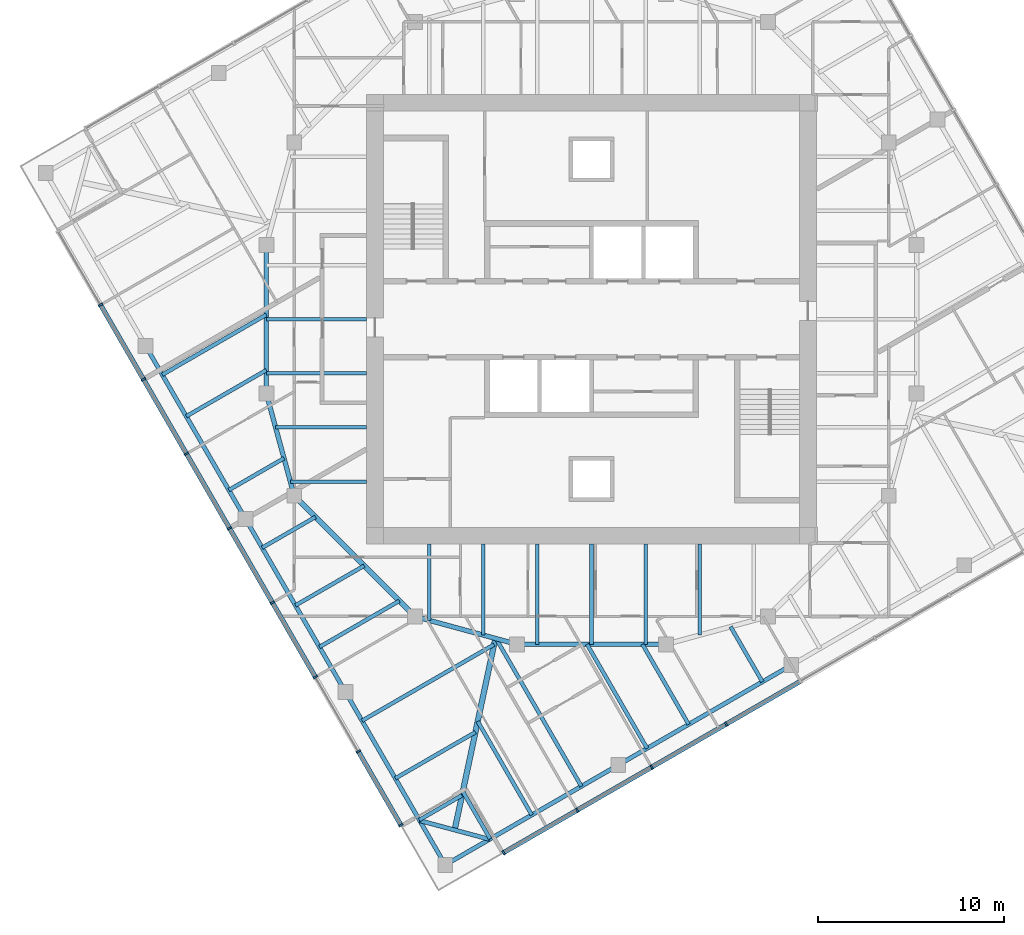
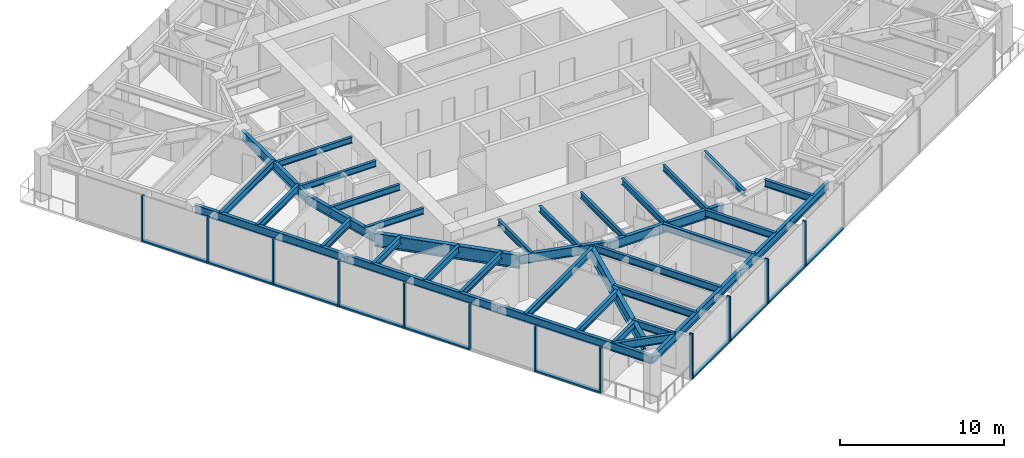
# One storey, part 2 of 12: 37 beams, 22 members, 2 elements without a shape of their own.
"""IFC4 building model written with IfcOpenShell, lengths in metres."""

from ifc_helpers import new_model, si_unit, direction, frame, origin, origin_2d, place, context, subcontext, project, spatial, rectangle, i_section, extrude, material, material_profile, profile_set, type_object, element, aggregate, save


model = new_model("IFC4")

# Units and contexts
model_context = context("Model", 3, precision=1e-05, world=origin(), true_north=direction((0.0, 1.0)))
body_context = subcontext(model_context, "Body", "Model", "MODEL_VIEW")
ifc_project = project(units=[si_unit("LENGTHUNIT", "METRE"), si_unit("AREAUNIT", "SQUARE_METRE"), si_unit("VOLUMEUNIT", "CUBIC_METRE"), si_unit("PLANEANGLEUNIT", "RADIAN"), si_unit("MASSUNIT", "GRAM", prefix="KILO")], contexts=[model_context])

# Site, building, storey
site_placement = place(None, origin())
site = spatial("IfcSite", under=ifc_project, at=site_placement, CompositionType="ELEMENT")
building_placement = place(site_placement, origin())
building = spatial("IfcBuilding", under=site, at=building_placement, Name="Torsade Residences", CompositionType="ELEMENT")
storey_placement = place(building_placement, frame((0.0, 0.0, 218.39990234375)))
storey = spatial("IfcBuildingStorey", under=building, at=storey_placement, Name="L60", CompositionType="ELEMENT", Elevation=218.39990234375)

# Beams
ifc_material_1 = material(Name="Steel grade 300", Category="steel")
ifc_material_profile_1 = material_profile(ifc_material_1, i_section(OverallWidth=0.300048828125, OverallDepth=0.89990234375, WebThickness=0.011962890625, FlangeThickness=0.02490234375, at=origin_2d()), Name="900WB175")
ifc_profile_set_1 = profile_set([ifc_material_profile_1], Name="Steel grade 300")
beam_type_1 = type_object("IfcBeamType", Name="CORNER GIRDER 900WB175", PredefinedType="BEAM", material=ifc_profile_set_1)
beam_1_placement = place(storey_placement, frame((32.6337890625, 2.5087890625, 2.800048828125), z_axis=(0.20806427425, 0.978115155685, 0.0), x_axis=(-0.978115155685, 0.20806427425, 0.0)))
element("IfcBeam", 1, at=beam_1_placement, inside=storey, type_object=beam_type_1, Name="Corner girder 01 L61", PredefinedType="BEAM", context=body_context, shape_type="SweptSolid", body=[
    extrude(i_section(OverallWidth=0.300048828125, OverallDepth=0.89990234375, WebThickness=0.011962890625, FlangeThickness=0.02490234375, at=origin_2d()), origin(), (0.0, 0.0, 1.0), 10.541748046875),
])
ifc_material_2 = material(Name="Steel grade 300", Category="steel")
ifc_material_profile_2 = material_profile(ifc_material_2, i_section(OverallWidth=0.22802734375, OverallDepth=0.60205078125, WebThickness=0.010498046875, FlangeThickness=0.014892578125, FilletRadius=0.013916015625, at=origin_2d()), Name="610UB101")
ifc_profile_set_2 = profile_set([ifc_material_profile_2], Name="Steel grade 300")
beam_type_2 = type_object("IfcBeamType", Name="CORNER TRIMMER 610UB101", PredefinedType="BEAM", material=ifc_profile_set_2)
beam_2_placement = place(storey_placement, frame((34.511962890625, 2.00537109375, 2.94921875), z_axis=(-0.965924794002, 0.258822897619, 0.0), x_axis=(-0.258822897619, -0.965924794002, 0.0)))
element("IfcBeam", 2, at=beam_2_placement, inside=storey, type_object=beam_type_2, Name="Corner trimmer 01 L61", PredefinedType="BEAM", context=body_context, shape_type="SweptSolid", body=[
    extrude(i_section(OverallWidth=0.22802734375, OverallDepth=0.60205078125, WebThickness=0.010498046875, FlangeThickness=0.014892578125, FilletRadius=0.013916015625, at=origin_2d()), origin(), (0.0, 0.0, 1.0), 3.88916015625),
])
ifc_material_3 = material(Name="Steel grade 300", Category="steel")
ifc_material_profile_3 = material_profile(ifc_material_3, i_section(OverallWidth=0.22900390625, OverallDepth=0.612060546875, WebThickness=0.011962890625, FlangeThickness=0.01953125, FilletRadius=0.013916015625, at=origin_2d()), Name="610UB125")
ifc_profile_set_3 = profile_set([ifc_material_profile_3], Name="Steel grade 300")
beam_type_3 = type_object("IfcBeamType", Name="EDGE BEAM 610UB125", PredefinedType="SPANDREL", material=ifc_profile_set_3)
for number, where, z_axis, x_axis, name in (
    (3, (32.13037109375, 0.63037109375, 2.944091796875), (0.866026365697, 0.499998333915, 0.0), (-0.499998333915, 0.866026365697, 0.0), "Edge beam 01 L61"),
    (4, (41.440185546875, 6.00537109375, 2.944091796875), (0.866026365697, 0.499998333915, 0.0), (-0.499998333915, 0.866026365697, 0.0), "Edge beam 02 L61"),
    (5, (16.00537109375, 28.559814453125, 2.944091796875), (0.499998333915, -0.866026365697, 0.0), (0.866026365697, 0.499998333915, 0.0), "Edge beam 14 L61"),
    (6, (21.38037109375, 19.25, 2.944091796875), (0.499998333915, -0.866026365697, 0.0), (0.866026365697, 0.499998333915, 0.0), "Edge beam 15 L61"),
    (7, (26.75537109375, 9.940185546875, 2.944091796875), (0.499998333915, -0.866026365697, 0.0), (0.866026365697, 0.499998333915, 0.0), "Edge beam 16 L61"),
):
    element("IfcBeam", number, at=place(storey_placement, frame(where, z_axis=z_axis, x_axis=x_axis)), inside=storey, type_object=beam_type_3, Name=name, PredefinedType="SPANDREL", context=body_context, shape_type="SweptSolid", body=[
        extrude(i_section(OverallWidth=0.22900390625, OverallDepth=0.612060546875, WebThickness=0.011962890625, FlangeThickness=0.01953125, FilletRadius=0.013916015625, at=origin_2d()), origin(), (0.0, 0.0, 1.0), 10.75),
    ])

# Curtain wall, members
ifc_material_4 = material(Name="Aluminium and glass", Category="aluminium")
curtain_wall_type = type_object("IfcCurtainWallType", Name="FRITTED GLASS CURTAIN WALL HIGH ZONE", PredefinedType="NOTDEFINED", material=ifc_material_4)
curtain_wall_1_placement = place(storey_placement, origin())
curtain_wall_1 = element("IfcCurtainWall", 8, at=curtain_wall_1_placement, inside=storey, type_object=curtain_wall_type, Name="Curtain wall L60 face 1", PredefinedType="NOTDEFINED")
ifc_material_5 = material(Name="Aluminium mullion", Category="aluminium")
ifc_material_profile_4 = material_profile(ifc_material_5, rectangle(XDim=0.25, YDim=0.10009765625, at=origin_2d()), Name="HIGH ZONE CURTAIN WALL MULLION 250x100")
ifc_profile_set_4 = profile_set([ifc_material_profile_4], Name="Aluminium mullion")
member_type_1 = type_object("IfcMemberType", Name="HIGH ZONE CURTAIN WALL MULLION 250x100", PredefinedType="MULLION", material=ifc_profile_set_4)
member_1_placement = place(storey_placement, frame((35.271728515625, 1.289306640625, 0.0), z_axis=(0.0, 0.0, 1.0), x_axis=(-0.499999999305, 0.866025404186, 0.0)))
member_1 = element("IfcMember", 9, at=member_1_placement, type_object=member_type_1, Name="Mullion 1", PredefinedType="MULLION", context=body_context, shape_type="SweptSolid", body=[
    extrude(rectangle(XDim=0.25, YDim=0.10009765625, at=origin_2d()), origin(), (0.0, 0.0, 1.0), 3.400146484375),
])
member_2_placement = place(storey_placement, frame((39.23388671875, 3.576904296875, 0.0), z_axis=(0.0, 0.0, 1.0), x_axis=(-0.499999999305, 0.866025404186, 0.0)))
member_2 = element("IfcMember", 10, at=member_2_placement, type_object=member_type_1, Name="Mullion 2", PredefinedType="MULLION", context=body_context, shape_type="SweptSolid", body=[
    extrude(rectangle(XDim=0.25, YDim=0.10009765625, at=origin_2d()), origin(), (0.0, 0.0, 1.0), 3.400146484375),
])
member_3_placement = place(storey_placement, frame((43.2392578125, 5.889404296875, 0.0), z_axis=(0.0, 0.0, 1.0), x_axis=(-0.499999999305, 0.866025404186, 0.0)))
member_3 = element("IfcMember", 11, at=member_3_placement, type_object=member_type_1, Name="Mullion 3", PredefinedType="MULLION", context=body_context, shape_type="SweptSolid", body=[
    extrude(rectangle(XDim=0.25, YDim=0.10009765625, at=origin_2d()), origin(), (0.0, 0.0, 1.0), 3.400146484375),
])
member_4_placement = place(storey_placement, frame((47.24462890625, 8.201904296875, 0.0), z_axis=(0.0, 0.0, 1.0), x_axis=(-0.499999999305, 0.866025404186, 0.0)))
member_4 = element("IfcMember", 12, at=member_4_placement, type_object=member_type_1, Name="Mullion 4", PredefinedType="MULLION", context=body_context, shape_type="SweptSolid", body=[
    extrude(rectangle(XDim=0.25, YDim=0.10009765625, at=origin_2d()), origin(), (0.0, 0.0, 1.0), 3.400146484375),
])

curtain_wall_2_placement = place(storey_placement, origin())
curtain_wall_2 = element("IfcCurtainWall", 13, at=curtain_wall_2_placement, inside=storey, type_object=curtain_wall_type, Name="Curtain wall L60 face 10", PredefinedType="NOTDEFINED")
member_5_placement = place(storey_placement, frame((13.576904296875, 30.76611328125, 0.0), z_axis=(0.0, 0.0, 1.0), x_axis=(0.866025404186, 0.499999999305, 0.0)))
member_5 = element("IfcMember", 14, at=member_5_placement, type_object=member_type_1, Name="Mullion 2", PredefinedType="MULLION", context=body_context, shape_type="SweptSolid", body=[
    extrude(rectangle(XDim=0.25, YDim=0.10009765625, at=origin_2d()), origin(), (0.0, 0.0, 1.0), 3.400146484375),
])
member_6_placement = place(storey_placement, frame((15.889404296875, 26.7607421875, 0.0), z_axis=(0.0, 0.0, 1.0), x_axis=(0.866025404186, 0.499999999305, 0.0)))
member_6 = element("IfcMember", 15, at=member_6_placement, type_object=member_type_1, Name="Mullion 3", PredefinedType="MULLION", context=body_context, shape_type="SweptSolid", body=[
    extrude(rectangle(XDim=0.25, YDim=0.10009765625, at=origin_2d()), origin(), (0.0, 0.0, 1.0), 3.400146484375),
])
member_7_placement = place(storey_placement, frame((18.201904296875, 22.75537109375, 0.0), z_axis=(0.0, 0.0, 1.0), x_axis=(0.866025404186, 0.499999999305, 0.0)))
member_7 = element("IfcMember", 16, at=member_7_placement, type_object=member_type_1, Name="Mullion 4", PredefinedType="MULLION", context=body_context, shape_type="SweptSolid", body=[
    extrude(rectangle(XDim=0.25, YDim=0.10009765625, at=origin_2d()), origin(), (0.0, 0.0, 1.0), 3.400146484375),
])
member_8_placement = place(storey_placement, frame((20.514404296875, 18.75, 0.0), z_axis=(0.0, 0.0, 1.0), x_axis=(0.866025404186, 0.499999999305, 0.0)))
member_8 = element("IfcMember", 17, at=member_8_placement, type_object=member_type_1, Name="Mullion 5", PredefinedType="MULLION", context=body_context, shape_type="SweptSolid", body=[
    extrude(rectangle(XDim=0.25, YDim=0.10009765625, at=origin_2d()), origin(), (0.0, 0.0, 1.0), 3.400146484375),
])
member_9_placement = place(storey_placement, frame((22.826904296875, 14.74462890625, 0.0), z_axis=(0.0, 0.0, 1.0), x_axis=(0.866025404186, 0.499999999305, 0.0)))
member_9 = element("IfcMember", 18, at=member_9_placement, type_object=member_type_1, Name="Mullion 6", PredefinedType="MULLION", context=body_context, shape_type="SweptSolid", body=[
    extrude(rectangle(XDim=0.25, YDim=0.10009765625, at=origin_2d()), origin(), (0.0, 0.0, 1.0), 3.400146484375),
])
member_10_placement = place(storey_placement, frame((25.139404296875, 10.7392578125, 0.0), z_axis=(0.0, 0.0, 1.0), x_axis=(0.866025404186, 0.499999999305, 0.0)))
member_10 = element("IfcMember", 19, at=member_10_placement, type_object=member_type_1, Name="Mullion 7", PredefinedType="MULLION", context=body_context, shape_type="SweptSolid", body=[
    extrude(rectangle(XDim=0.25, YDim=0.10009765625, at=origin_2d()), origin(), (0.0, 0.0, 1.0), 3.400146484375),
])
member_11_placement = place(storey_placement, frame((27.451904296875, 6.73388671875, 0.0), z_axis=(0.0, 0.0, 1.0), x_axis=(0.866025404186, 0.499999999305, 0.0)))
member_11 = element("IfcMember", 20, at=member_11_placement, type_object=member_type_1, Name="Mullion 8", PredefinedType="MULLION", context=body_context, shape_type="SweptSolid", body=[
    extrude(rectangle(XDim=0.25, YDim=0.10009765625, at=origin_2d()), origin(), (0.0, 0.0, 1.0), 3.400146484375),
])
member_12_placement = place(storey_placement, frame((29.739501953125, 2.771728515625, 0.0), z_axis=(0.0, 0.0, 1.0), x_axis=(0.866025404186, 0.499999999305, 0.0)))
member_12 = element("IfcMember", 21, at=member_12_placement, type_object=member_type_1, Name="Mullion 9", PredefinedType="MULLION", context=body_context, shape_type="SweptSolid", body=[
    extrude(rectangle(XDim=0.25, YDim=0.10009765625, at=origin_2d()), origin(), (0.0, 0.0, 1.0), 3.400146484375),
])

# Member
ifc_material_6 = material(Name="Aluminium transom", Category="aluminium")
ifc_material_profile_5 = material_profile(ifc_material_6, rectangle(XDim=0.25, YDim=0.1201171875, at=origin_2d()), Name="HIGH ZONE CURTAIN WALL TRANSOM 250x120")
ifc_profile_set_5 = profile_set([ifc_material_profile_5], Name="Aluminium transom")
member_type_2 = type_object("IfcMemberType", Name="HIGH ZONE CURTAIN WALL TRANSOM 250x120", PredefinedType="USERDEFINED", material=ifc_profile_set_5)
member_13_placement = place(storey_placement, frame((35.315185546875, 1.314453125, 0.06005859375), z_axis=(0.866022053326, 0.50000580312, 0.0), x_axis=(-0.50000580312, 0.866022053326, 0.0)))
member_13 = element("IfcMember", 22, at=member_13_placement, type_object=member_type_2, Name="Transom 1.1", ObjectType="TRANSOM", PredefinedType="USERDEFINED", context=body_context, shape_type="SweptSolid", body=[
    extrude(rectangle(XDim=0.25, YDim=0.1201171875, at=origin_2d()), origin(), (0.0, 0.0, 1.0), 4.47509765625),
])

member_14_placement = place(storey_placement, frame((39.277099609375, 3.601806640625, 0.06005859375), z_axis=(0.866016678684, 0.500015112013, 0.0), x_axis=(-0.500015112013, 0.866016678684, 0.0)))
member_14 = element("IfcMember", 23, at=member_14_placement, type_object=member_type_2, Name="Transom 2.1", ObjectType="TRANSOM", PredefinedType="USERDEFINED", context=body_context, shape_type="SweptSolid", body=[
    extrude(rectangle(XDim=0.25, YDim=0.1201171875, at=origin_2d()), origin(), (0.0, 0.0, 1.0), 4.525146484375),
])

member_15_placement = place(storey_placement, frame((43.282470703125, 5.914306640625, 0.06005859375), z_axis=(0.866016678684, 0.500015112013, 0.0), x_axis=(-0.500015112013, 0.866016678684, 0.0)))
member_15 = element("IfcMember", 24, at=member_15_placement, type_object=member_type_2, Name="Transom 3.1", ObjectType="TRANSOM", PredefinedType="USERDEFINED", context=body_context, shape_type="SweptSolid", body=[
    extrude(rectangle(XDim=0.25, YDim=0.1201171875, at=origin_2d()), origin(), (0.0, 0.0, 1.0), 4.525146484375),
])

member_16_placement = place(storey_placement, frame((47.287841796875, 8.226806640625, 0.06005859375), z_axis=(0.866016678684, 0.500015112013, 0.0), x_axis=(-0.500015112013, 0.866016678684, 0.0)))
member_16 = element("IfcMember", 25, at=member_16_placement, type_object=member_type_2, Name="Transom 4.1", ObjectType="TRANSOM", PredefinedType="USERDEFINED", context=body_context, shape_type="SweptSolid", body=[
    extrude(rectangle(XDim=0.25, YDim=0.1201171875, at=origin_2d()), origin(), (0.0, 0.0, 1.0), 4.525146484375),
])

aggregate(curtain_wall_1, [member_1, member_2, member_3, member_4, member_13, member_14, member_15, member_16])

member_17_placement = place(storey_placement, frame((13.601806640625, 30.722900390625, 0.06005859375), z_axis=(0.500015112013, -0.866016678684, 0.0), x_axis=(0.866016678684, 0.500015112013, 0.0)))
member_17 = element("IfcMember", 26, at=member_17_placement, type_object=member_type_2, Name="Transom 2.1", ObjectType="TRANSOM", PredefinedType="USERDEFINED", context=body_context, shape_type="SweptSolid", body=[
    extrude(rectangle(XDim=0.25, YDim=0.1201171875, at=origin_2d()), origin(), (0.0, 0.0, 1.0), 4.525146484375),
])

member_18_placement = place(storey_placement, frame((15.914306640625, 26.717529296875, 0.06005859375), z_axis=(0.500015112013, -0.866016678684, 0.0), x_axis=(0.866016678684, 0.500015112013, 0.0)))
member_18 = element("IfcMember", 27, at=member_18_placement, type_object=member_type_2, Name="Transom 3.1", ObjectType="TRANSOM", PredefinedType="USERDEFINED", context=body_context, shape_type="SweptSolid", body=[
    extrude(rectangle(XDim=0.25, YDim=0.1201171875, at=origin_2d()), origin(), (0.0, 0.0, 1.0), 4.525146484375),
])

member_19_placement = place(storey_placement, frame((18.226806640625, 22.712158203125, 0.06005859375), z_axis=(0.500015112013, -0.866016678684, 0.0), x_axis=(0.866016678684, 0.500015112013, 0.0)))
member_19 = element("IfcMember", 28, at=member_19_placement, type_object=member_type_2, Name="Transom 4.1", ObjectType="TRANSOM", PredefinedType="USERDEFINED", context=body_context, shape_type="SweptSolid", body=[
    extrude(rectangle(XDim=0.25, YDim=0.1201171875, at=origin_2d()), origin(), (0.0, 0.0, 1.0), 4.525146484375),
])

member_20_placement = place(storey_placement, frame((20.539306640625, 18.706787109375, 0.06005859375), z_axis=(0.500015112013, -0.866016678684, 0.0), x_axis=(0.866016678684, 0.500015112013, 0.0)))
member_20 = element("IfcMember", 29, at=member_20_placement, type_object=member_type_2, Name="Transom 5.1", ObjectType="TRANSOM", PredefinedType="USERDEFINED", context=body_context, shape_type="SweptSolid", body=[
    extrude(rectangle(XDim=0.25, YDim=0.1201171875, at=origin_2d()), origin(), (0.0, 0.0, 1.0), 4.525146484375),
])

member_21_placement = place(storey_placement, frame((22.851806640625, 14.701416015625, 0.06005859375), z_axis=(0.500015112013, -0.866016678684, 0.0), x_axis=(0.866016678684, 0.500015112013, 0.0)))
member_21 = element("IfcMember", 30, at=member_21_placement, type_object=member_type_2, Name="Transom 6.1", ObjectType="TRANSOM", PredefinedType="USERDEFINED", context=body_context, shape_type="SweptSolid", body=[
    extrude(rectangle(XDim=0.25, YDim=0.1201171875, at=origin_2d()), origin(), (0.0, 0.0, 1.0), 4.525146484375),
])

member_22_placement = place(storey_placement, frame((27.476806640625, 6.690673828125, 0.06005859375), z_axis=(0.50000580312, -0.866022053326, 0.0), x_axis=(0.866022053326, 0.50000580312, 0.0)))
member_22 = element("IfcMember", 31, at=member_22_placement, type_object=member_type_2, Name="Transom 8.1", ObjectType="TRANSOM", PredefinedType="USERDEFINED", context=body_context, shape_type="SweptSolid", body=[
    extrude(rectangle(XDim=0.25, YDim=0.1201171875, at=origin_2d()), origin(), (0.0, 0.0, 1.0), 4.47509765625),
])

aggregate(curtain_wall_2, [member_5, member_6, member_7, member_8, member_9, member_10, member_11, member_12, member_17, member_18, member_19, member_20, member_21, member_22])

# Beams
ifc_material_7 = material(Name="Steel grade 300", Category="steel")
ifc_material_profile_6 = material_profile(ifc_material_7, i_section(OverallWidth=0.18994140625, OverallDepth=0.4541015625, WebThickness=0.008544921875, FlangeThickness=0.0126953125, FilletRadius=0.011474609375, at=origin_2d()), Name="460UB67.1")
ifc_profile_set_6 = profile_set([ifc_material_profile_6], Name="Steel grade 300")
beam_type_4 = type_object("IfcBeamType", Name="INNER FLOOR BEAM 460UB67.1", PredefinedType="JOIST", material=ifc_profile_set_6)
beam_3_placement = place(storey_placement, frame((45.824951171875, 17.89990234375, 3.023193359375), z_axis=(0.0, -1.0, 0.0), x_axis=(1.0, 0.0, 0.0)))
element("IfcBeam", 32, at=beam_3_placement, inside=storey, type_object=beam_type_4, Name="Inner floor beam IS02 L61", PredefinedType="JOIST", context=body_context, shape_type="SweptSolid", body=[
    extrude(i_section(OverallWidth=0.18994140625, OverallDepth=0.4541015625, WebThickness=0.008544921875, FlangeThickness=0.0126953125, FilletRadius=0.011474609375, at=origin_2d()), origin(), (0.0, 0.0, 1.0), 4.902099609375),
])
for number, where, z_axis, x_axis, name in (
    (33, (42.91259765625, 17.89990234375, 3.023193359375), (0.0, -1.0, 0.0), (1.0, 0.0, 0.0), "Inner floor beam IS03 L61"),
    (34, (40.0, 17.89990234375, 3.023193359375), (0.0, -1.0, 0.0), (1.0, 0.0, 0.0), "Inner floor beam IS04 L61"),
    (35, (37.08740234375, 17.89990234375, 3.023193359375), (0.0, -1.0, 0.0), (1.0, 0.0, 0.0), "Inner floor beam IS05 L61"),
):
    element("IfcBeam", number, at=place(storey_placement, frame(where, z_axis=z_axis, x_axis=x_axis)), inside=storey, type_object=beam_type_4, Name=name, PredefinedType="JOIST", context=body_context, shape_type="SweptSolid", body=[
        extrude(i_section(OverallWidth=0.18994140625, OverallDepth=0.4541015625, WebThickness=0.008544921875, FlangeThickness=0.0126953125, FilletRadius=0.011474609375, at=origin_2d()), origin(), (0.0, 0.0, 1.0), 5.39990234375),
    ])
beam_4_placement = place(storey_placement, frame((34.175048828125, 17.89990234375, 3.023193359375), z_axis=(0.0, -1.0, 0.0), x_axis=(1.0, 0.0, 0.0)))
element("IfcBeam", 36, at=beam_4_placement, inside=storey, type_object=beam_type_4, Name="Inner floor beam IS06 L61", PredefinedType="JOIST", context=body_context, shape_type="SweptSolid", body=[
    extrude(i_section(OverallWidth=0.18994140625, OverallDepth=0.4541015625, WebThickness=0.008544921875, FlangeThickness=0.0126953125, FilletRadius=0.011474609375, at=origin_2d()), origin(), (0.0, 0.0, 1.0), 4.902099609375),
])
beam_5_placement = place(storey_placement, frame((31.262451171875, 17.89990234375, 3.023193359375), z_axis=(0.0, -1.0, 0.0), x_axis=(1.0, 0.0, 0.0)))
element("IfcBeam", 37, at=beam_5_placement, inside=storey, type_object=beam_type_4, Name="Inner floor beam IS07 L61", PredefinedType="JOIST", context=body_context, shape_type="SweptSolid", body=[
    extrude(i_section(OverallWidth=0.18994140625, OverallDepth=0.4541015625, WebThickness=0.008544921875, FlangeThickness=0.0126953125, FilletRadius=0.011474609375, at=origin_2d()), origin(), (0.0, 0.0, 1.0), 4.10791015625),
])
for number, where, z_axis, x_axis, name in (
    (38, (27.89990234375, 30.0, 3.023193359375), (-1.0, 0.0, 0.0), (0.0, -1.0, 0.0), "Inner floor beam IW04 L61"),
    (39, (27.89990234375, 27.08740234375, 3.023193359375), (-1.0, 0.0, 0.0), (0.0, -1.0, 0.0), "Inner floor beam IW05 L61"),
):
    element("IfcBeam", number, at=place(storey_placement, frame(where, z_axis=z_axis, x_axis=x_axis)), inside=storey, type_object=beam_type_4, Name=name, PredefinedType="JOIST", context=body_context, shape_type="SweptSolid", body=[
        extrude(i_section(OverallWidth=0.18994140625, OverallDepth=0.4541015625, WebThickness=0.008544921875, FlangeThickness=0.0126953125, FilletRadius=0.011474609375, at=origin_2d()), origin(), (0.0, 0.0, 1.0), 5.39990234375),
    ])
beam_6_placement = place(storey_placement, frame((27.89990234375, 24.175048828125, 3.023193359375), z_axis=(-1.0, 0.0, 0.0), x_axis=(0.0, -1.0, 0.0)))
element("IfcBeam", 40, at=beam_6_placement, inside=storey, type_object=beam_type_4, Name="Inner floor beam IW06 L61", PredefinedType="JOIST", context=body_context, shape_type="SweptSolid", body=[
    extrude(i_section(OverallWidth=0.18994140625, OverallDepth=0.4541015625, WebThickness=0.008544921875, FlangeThickness=0.0126953125, FilletRadius=0.011474609375, at=origin_2d()), origin(), (0.0, 0.0, 1.0), 4.902099609375),
])
beam_7_placement = place(storey_placement, frame((27.89990234375, 21.262451171875, 3.023193359375), z_axis=(-1.0, 0.0, 0.0), x_axis=(0.0, -1.0, 0.0)))
element("IfcBeam", 41, at=beam_7_placement, inside=storey, type_object=beam_type_4, Name="Inner floor beam IW07 L61", PredefinedType="JOIST", context=body_context, shape_type="SweptSolid", body=[
    extrude(i_section(OverallWidth=0.18994140625, OverallDepth=0.4541015625, WebThickness=0.008544921875, FlangeThickness=0.0126953125, FilletRadius=0.011474609375, at=origin_2d()), origin(), (0.0, 0.0, 1.0), 4.10791015625),
])
ifc_material_8 = material(Name="Steel grade 300", Category="steel")
ifc_material_profile_7 = material_profile(ifc_material_8, i_section(OverallWidth=0.300048828125, OverallDepth=1.0, WebThickness=0.01611328125, FlangeThickness=0.028076171875, at=origin_2d()), Name="1000WB215")
ifc_profile_set_7 = profile_set([ifc_material_profile_7], Name="Steel grade 300")
beam_type_5 = type_object("IfcBeamType", Name="RING CORNER GIRDER 1000WB215", PredefinedType="BEAM", material=ifc_profile_set_7)
beam_8_placement = place(storey_placement, frame((24.0, 20.5, 2.75), z_axis=(0.707106781187, -0.707106781187, 0.0), x_axis=(0.707106781187, 0.707106781187, 0.0)))
element("IfcBeam", 42, at=beam_8_placement, inside=storey, type_object=beam_type_5, Name="Ring girder IR11 L61", PredefinedType="BEAM", context=body_context, shape_type="SweptSolid", body=[
    extrude(i_section(OverallWidth=0.300048828125, OverallDepth=1.0, WebThickness=0.01611328125, FlangeThickness=0.028076171875, at=origin_2d()), origin(), (0.0, 0.0, 1.0), 9.1923828125),
])
ifc_material_9 = material(Name="Steel grade 300", Category="steel")
ifc_material_profile_8 = material_profile(ifc_material_9, i_section(OverallWidth=0.25, OverallDepth=0.699951171875, WebThickness=0.010009765625, FlangeThickness=0.02001953125, at=origin_2d()), Name="700WB130")
ifc_profile_set_8 = profile_set([ifc_material_profile_8], Name="Steel grade 300")
beam_type_6 = type_object("IfcBeamType", Name="RING GIRDER 700WB130", PredefinedType="BEAM", material=ifc_profile_set_8)
beam_9_placement = place(storey_placement, frame((22.5, 34.0, 2.900146484375), z_axis=(0.0, -1.0, 0.0), x_axis=(1.0, 0.0, 0.0)))
element("IfcBeam", 43, at=beam_9_placement, inside=storey, type_object=beam_type_6, Name="Ring girder IR09 L61", PredefinedType="BEAM", context=body_context, shape_type="SweptSolid", body=[
    extrude(i_section(OverallWidth=0.25, OverallDepth=0.699951171875, WebThickness=0.010009765625, FlangeThickness=0.02001953125, at=origin_2d()), origin(), (0.0, 0.0, 1.0), 8.0),
])
for number, where, z_axis, x_axis, name in (
    (44, (22.5, 26.0, 2.900146484375), (0.263117405792, -0.964763821238, 0.0), (0.964763821238, 0.263117405792, 0.0), "Ring girder IR10 L61"),
    (45, (30.5, 14.0, 2.900146484375), (0.964763821238, -0.263117405792, 0.0), (0.263117405792, 0.964763821238, 0.0), "Ring girder IR12 L61"),
):
    element("IfcBeam", number, at=place(storey_placement, frame(where, z_axis=z_axis, x_axis=x_axis)), inside=storey, type_object=beam_type_6, Name=name, PredefinedType="BEAM", context=body_context, shape_type="SweptSolid", body=[
        extrude(i_section(OverallWidth=0.25, OverallDepth=0.699951171875, WebThickness=0.010009765625, FlangeThickness=0.02001953125, at=origin_2d()), origin(), (0.0, 0.0, 1.0), 5.700927734375),
    ])
beam_10_placement = place(storey_placement, frame((36.0, 12.5, 2.900146484375), z_axis=(1.0, 0.0, 0.0), x_axis=(0.0, 1.0, 0.0)))
element("IfcBeam", 46, at=beam_10_placement, inside=storey, type_object=beam_type_6, Name="Ring girder IR13 L61", PredefinedType="BEAM", context=body_context, shape_type="SweptSolid", body=[
    extrude(i_section(OverallWidth=0.25, OverallDepth=0.699951171875, WebThickness=0.010009765625, FlangeThickness=0.02001953125, at=origin_2d()), origin(), (0.0, 0.0, 1.0), 8.0),
])
ifc_material_10 = material(Name="Steel grade 300", Category="steel")
ifc_material_profile_9 = material_profile(ifc_material_10, i_section(OverallWidth=0.208984375, OverallDepth=0.528076171875, WebThickness=0.009521484375, FlangeThickness=0.01318359375, FilletRadius=0.013916015625, at=origin_2d()), Name="530UB82.0")
ifc_profile_set_9 = profile_set([ifc_material_profile_9], Name="Steel grade 300")
beam_type_7 = type_object("IfcBeamType", Name="SECONDARY BEAM 530UB82.0", PredefinedType="JOIST", material=ifc_profile_set_9)
beam_11_placement = place(storey_placement, frame((34.548095703125, 2.0263671875, 2.986083984375), z_axis=(-0.500014013, 0.866017313224, 0.0), x_axis=(-0.866017313224, -0.500014013, 0.0)))
element("IfcBeam", 47, at=beam_11_placement, inside=storey, type_object=beam_type_7, Name="Floor beam FS01 L61", PredefinedType="JOIST", context=body_context, shape_type="SweptSolid", body=[
    extrude(i_section(OverallWidth=0.208984375, OverallDepth=0.528076171875, WebThickness=0.009521484375, FlangeThickness=0.01318359375, FilletRadius=0.013916015625, at=origin_2d()), origin(), (0.0, 0.0, 1.0), 2.94775390625),
])
beam_12_placement = place(storey_placement, frame((36.785400390625, 3.31787109375, 2.986083984375), z_axis=(-0.499990133118, 0.866031100357, 0.0), x_axis=(-0.866031100357, -0.499990133118, 0.0)))
element("IfcBeam", 48, at=beam_12_placement, inside=storey, type_object=beam_type_7, Name="Floor beam FS02 L61", PredefinedType="JOIST", context=body_context, shape_type="SweptSolid", body=[
    extrude(i_section(OverallWidth=0.208984375, OverallDepth=0.528076171875, WebThickness=0.009521484375, FlangeThickness=0.01318359375, FilletRadius=0.013916015625, at=origin_2d()), origin(), (0.0, 0.0, 1.0), 5.81591796875),
])
beam_13_placement = place(storey_placement, frame((39.45556640625, 4.859619140625, 2.986083984375), z_axis=(-0.500006393711, 0.866021712342, 0.0), x_axis=(-0.866021712342, -0.500006393711, 0.0)))
element("IfcBeam", 49, at=beam_13_placement, inside=storey, type_object=beam_type_7, Name="Floor beam FS03 L61", PredefinedType="JOIST", context=body_context, shape_type="SweptSolid", body=[
    extrude(i_section(OverallWidth=0.208984375, OverallDepth=0.528076171875, WebThickness=0.009521484375, FlangeThickness=0.01318359375, FilletRadius=0.013916015625, at=origin_2d()), origin(), (0.0, 0.0, 1.0), 9.1796875),
])
beam_14_placement = place(storey_placement, frame((42.991943359375, 6.9013671875, 2.986083984375), z_axis=(-0.500005767435, 0.866022073929, 0.0), x_axis=(-0.866022073929, -0.500005767435, 0.0)))
element("IfcBeam", 50, at=beam_14_placement, inside=storey, type_object=beam_type_7, Name="Floor beam FS04 L61", PredefinedType="JOIST", context=body_context, shape_type="SweptSolid", body=[
    extrude(i_section(OverallWidth=0.208984375, OverallDepth=0.528076171875, WebThickness=0.009521484375, FlangeThickness=0.01318359375, FilletRadius=0.013916015625, at=origin_2d()), origin(), (0.0, 0.0, 1.0), 6.46484375),
])
beam_15_placement = place(storey_placement, frame((45.22900390625, 8.19287109375, 2.986083984375), z_axis=(-0.499977414361, 0.866038443216, 0.0), x_axis=(-0.866038443216, -0.499977414361, 0.0)))
element("IfcBeam", 51, at=beam_15_placement, inside=storey, type_object=beam_type_7, Name="Floor beam FS05 L61", PredefinedType="JOIST", context=body_context, shape_type="SweptSolid", body=[
    extrude(i_section(OverallWidth=0.208984375, OverallDepth=0.528076171875, WebThickness=0.009521484375, FlangeThickness=0.01318359375, FilletRadius=0.013916015625, at=origin_2d()), origin(), (0.0, 0.0, 1.0), 4.973388671875),
])
beam_16_placement = place(storey_placement, frame((49.198486328125, 10.484619140625, 2.986083984375), z_axis=(-0.500041249073, 0.866001587311, 0.0), x_axis=(-0.866001587311, -0.500041249073, 0.0)))
element("IfcBeam", 52, at=beam_16_placement, inside=storey, type_object=beam_type_7, Name="Floor beam FS06 L61", PredefinedType="JOIST", context=body_context, shape_type="SweptSolid", body=[
    extrude(i_section(OverallWidth=0.208984375, OverallDepth=0.528076171875, WebThickness=0.009521484375, FlangeThickness=0.01318359375, FilletRadius=0.013916015625, at=origin_2d()), origin(), (0.0, 0.0, 1.0), 3.425048828125),
])
beam_17_placement = place(storey_placement, frame((16.9013671875, 27.008056640625, 2.986083984375), z_axis=(0.866022073929, 0.500005767435, 0.0), x_axis=(-0.500005767435, 0.866022073929, 0.0)))
element("IfcBeam", 53, at=beam_17_placement, inside=storey, type_object=beam_type_7, Name="Floor beam FW04 L61", PredefinedType="JOIST", context=body_context, shape_type="SweptSolid", body=[
    extrude(i_section(OverallWidth=0.208984375, OverallDepth=0.528076171875, WebThickness=0.009521484375, FlangeThickness=0.01318359375, FilletRadius=0.013916015625, at=origin_2d()), origin(), (0.0, 0.0, 1.0), 6.46484375),
])
beam_18_placement = place(storey_placement, frame((18.19287109375, 24.77099609375, 2.986083984375), z_axis=(0.866038443216, 0.499977414361, 0.0), x_axis=(-0.499977414361, 0.866038443216, 0.0)))
element("IfcBeam", 54, at=beam_18_placement, inside=storey, type_object=beam_type_7, Name="Floor beam FW05 L61", PredefinedType="JOIST", context=body_context, shape_type="SweptSolid", body=[
    extrude(i_section(OverallWidth=0.208984375, OverallDepth=0.528076171875, WebThickness=0.009521484375, FlangeThickness=0.01318359375, FilletRadius=0.013916015625, at=origin_2d()), origin(), (0.0, 0.0, 1.0), 4.973388671875),
])
beam_19_placement = place(storey_placement, frame((20.484619140625, 20.801513671875, 2.986083984375), z_axis=(0.866001587311, 0.500041249073, 0.0), x_axis=(-0.500041249073, 0.866001587311, 0.0)))
element("IfcBeam", 55, at=beam_19_placement, inside=storey, type_object=beam_type_7, Name="Floor beam FW06 L61", PredefinedType="JOIST", context=body_context, shape_type="SweptSolid", body=[
    extrude(i_section(OverallWidth=0.208984375, OverallDepth=0.528076171875, WebThickness=0.009521484375, FlangeThickness=0.01318359375, FilletRadius=0.013916015625, at=origin_2d()), origin(), (0.0, 0.0, 1.0), 3.425048828125),
])
beam_20_placement = place(storey_placement, frame((22.2763671875, 17.698486328125, 2.986083984375), z_axis=(0.866039541186, 0.499975512502, 0.0), x_axis=(-0.499975512502, 0.866039541186, 0.0)))
element("IfcBeam", 56, at=beam_20_placement, inside=storey, type_object=beam_type_7, Name="Floor beam FW07 L61", PredefinedType="JOIST", context=body_context, shape_type="SweptSolid", body=[
    extrude(i_section(OverallWidth=0.208984375, OverallDepth=0.528076171875, WebThickness=0.009521484375, FlangeThickness=0.01318359375, FilletRadius=0.013916015625, at=origin_2d()), origin(), (0.0, 0.0, 1.0), 3.312744140625),
])
beam_21_placement = place(storey_placement, frame((24.06787109375, 14.59521484375, 2.986083984375), z_axis=(0.866022880939, 0.500004369671, 0.0), x_axis=(-0.500004369671, 0.866022880939, 0.0)))
element("IfcBeam", 57, at=beam_21_placement, inside=storey, type_object=beam_type_7, Name="Floor beam FW08 L61", PredefinedType="JOIST", context=body_context, shape_type="SweptSolid", body=[
    extrude(i_section(OverallWidth=0.208984375, OverallDepth=0.528076171875, WebThickness=0.009521484375, FlangeThickness=0.01318359375, FilletRadius=0.013916015625, at=origin_2d()), origin(), (0.0, 0.0, 1.0), 4.27294921875),
])
beam_22_placement = place(storey_placement, frame((25.359619140625, 12.35791015625, 2.986083984375), z_axis=(0.866043933037, 0.49996790502, 0.0), x_axis=(-0.49996790502, 0.866043933037, 0.0)))
element("IfcBeam", 58, at=beam_22_placement, inside=storey, type_object=beam_type_7, Name="Floor beam FW09 L61", PredefinedType="JOIST", context=body_context, shape_type="SweptSolid", body=[
    extrude(i_section(OverallWidth=0.208984375, OverallDepth=0.528076171875, WebThickness=0.009521484375, FlangeThickness=0.01318359375, FilletRadius=0.013916015625, at=origin_2d()), origin(), (0.0, 0.0, 1.0), 4.965087890625),
])
beam_23_placement = place(storey_placement, frame((27.6513671875, 8.388671875, 2.986083984375), z_axis=(0.866030002502, 0.499992034702, 0.0), x_axis=(-0.499992034702, 0.866030002502, 0.0)))
element("IfcBeam", 59, at=beam_23_placement, inside=storey, type_object=beam_type_7, Name="Floor beam FW10 L61", PredefinedType="JOIST", context=body_context, shape_type="SweptSolid", body=[
    extrude(i_section(OverallWidth=0.208984375, OverallDepth=0.528076171875, WebThickness=0.009521484375, FlangeThickness=0.01318359375, FilletRadius=0.013916015625, at=origin_2d()), origin(), (0.0, 0.0, 1.0), 8.205322265625),
])
beam_24_placement = place(storey_placement, frame((29.44287109375, 5.285400390625, 2.986083984375), z_axis=(0.866043477274, 0.499968694491, 0.0), x_axis=(-0.499968694491, 0.866043477274, 0.0)))
element("IfcBeam", 60, at=beam_24_placement, inside=storey, type_object=beam_type_7, Name="Floor beam FW11 L61", PredefinedType="JOIST", context=body_context, shape_type="SweptSolid", body=[
    extrude(i_section(OverallWidth=0.208984375, OverallDepth=0.528076171875, WebThickness=0.009521484375, FlangeThickness=0.01318359375, FilletRadius=0.013916015625, at=origin_2d()), origin(), (0.0, 0.0, 1.0), 4.977783203125),
])
beam_25_placement = place(storey_placement, frame((30.734619140625, 3.048095703125, 2.986083984375), z_axis=(0.866041431316, 0.499972238474, 0.0), x_axis=(-0.499972238474, 0.866041431316, 0.0)))
element("IfcBeam", 61, at=beam_25_placement, inside=storey, type_object=beam_type_7, Name="Floor beam FW12 L61", PredefinedType="JOIST", context=body_context, shape_type="SweptSolid", body=[
    extrude(i_section(OverallWidth=0.208984375, OverallDepth=0.528076171875, WebThickness=0.009521484375, FlangeThickness=0.01318359375, FilletRadius=0.013916015625, at=origin_2d()), origin(), (0.0, 0.0, 1.0), 2.651123046875),
])

save(model, "model.ifc")
